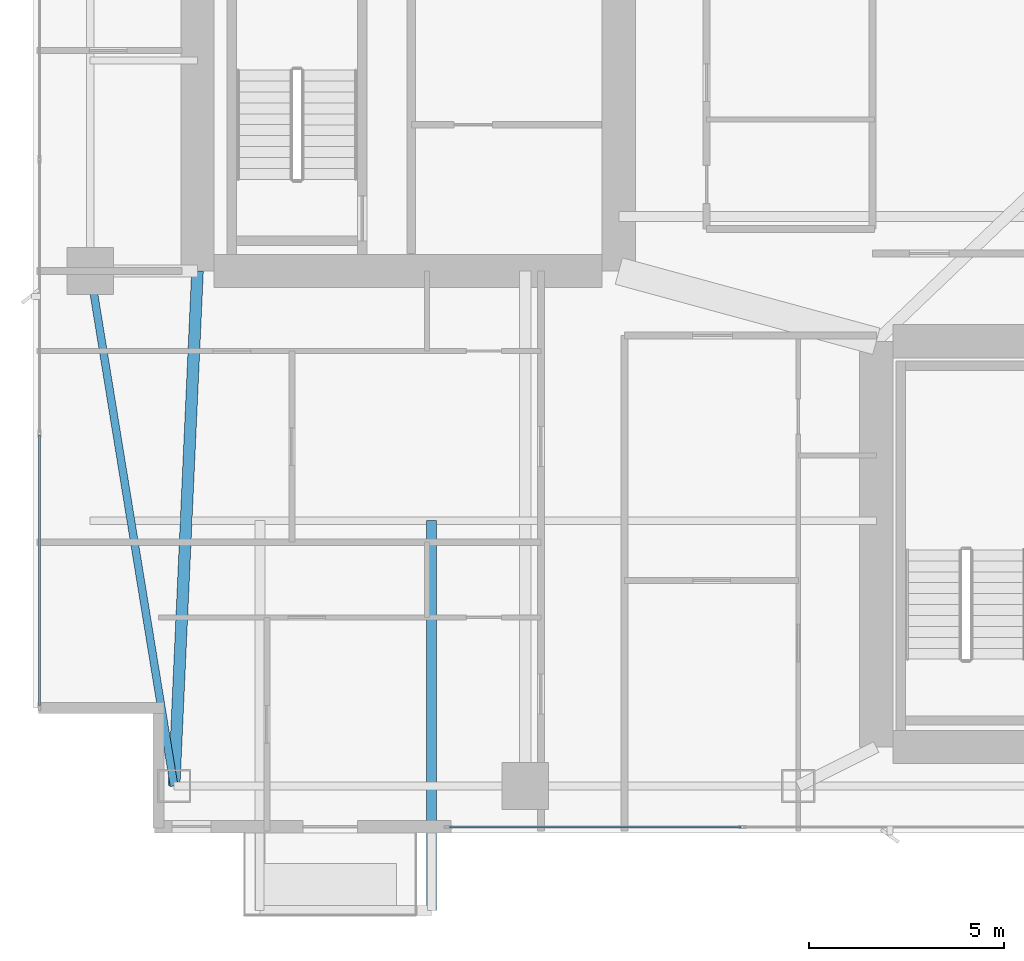
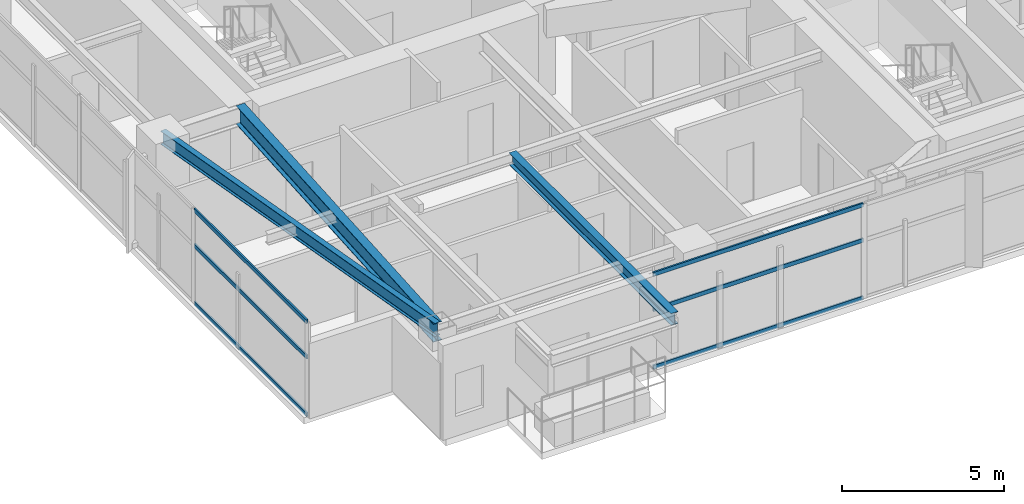
# One storey, part 3 of 29: 6 members, 3 beams, 2 elements without a shape of their own.
"""IFC4 building model written with IfcOpenShell, lengths in metres."""

from ifc_helpers import new_model, si_unit, direction, frame, origin, origin_2d, place, context, subcontext, project, spatial, hollow_rectangle, i_section, extrude, material, layer, layer_set, material_profile, profile_set, type_object, element, aggregate, save


model = new_model("IFC4")

# Units and contexts
model_context = context("Model", 3, precision=1e-05, world=origin(), true_north=direction((0.0, 1.0)))
body_context = subcontext(model_context, "Body", "Model", "MODEL_VIEW")
ifc_project = project(units=[si_unit("LENGTHUNIT", "METRE"), si_unit("AREAUNIT", "SQUARE_METRE"), si_unit("VOLUMEUNIT", "CUBIC_METRE"), si_unit("PLANEANGLEUNIT", "RADIAN"), si_unit("MASSUNIT", "GRAM", prefix="KILO")], contexts=[model_context])

# Site, building, storey
site_placement = place(None, origin())
site = spatial("IfcSite", under=ifc_project, at=site_placement, CompositionType="ELEMENT")
building_placement = place(site_placement, origin())
building = spatial("IfcBuilding", under=site, at=building_placement, Name="Calvorn Quay Hotel", CompositionType="ELEMENT")
storey_placement = place(building_placement, frame((0.0, 0.0, 124.0)))
storey = spatial("IfcBuildingStorey", under=building, at=storey_placement, Name="L30", CompositionType="ELEMENT", Elevation=124.0)

# Beams
ifc_material_1 = material(Name="Steel Q355B", Category="steel")
ifc_material_profile_1 = material_profile(ifc_material_1, i_section(OverallWidth=0.25, OverallDepth=0.449951171875, WebThickness=0.011962890625, FlangeThickness=0.01611328125, FilletRadius=0.01611328125, at=origin_2d()), Name="HN450x250x12x16")
ifc_profile_set_1 = profile_set([ifc_material_profile_1], Name="Steel Q355B")
beam_type_1 = type_object("IfcBeamType", Name="BM-CANT-BALC", PredefinedType="BEAM", material=ifc_profile_set_1)
beam_1_placement = place(storey_placement, frame((10.199951171875, 10.39990234375, 3.31494140625), z_axis=(0.0, -1.0, 0.0), x_axis=(1.0, 0.0, 0.0)))
element("IfcBeam", 1, at=beam_1_placement, inside=storey, type_object=beam_type_1, Name="Cantilever Balcony Beam BCB-L31-2B", PredefinedType="BEAM", context=body_context, shape_type="SweptSolid", body=[
    extrude(i_section(OverallWidth=0.25, OverallDepth=0.449951171875, WebThickness=0.011962890625, FlangeThickness=0.01611328125, FilletRadius=0.01611328125, at=origin_2d()), origin(), (0.0, 0.0, 1.0), 9.989990234375),
])
ifc_material_2 = material(Name="Steel Q390GJC", Category="steel")
ifc_material_profile_2 = material_profile(ifc_material_2, i_section(OverallWidth=0.300048828125, OverallDepth=0.699951171875, WebThickness=0.012939453125, FlangeThickness=0.02392578125, FilletRadius=0.02392578125, at=origin_2d()), Name="HN700x300x13x24")
ifc_profile_set_2 = profile_set([ifc_material_profile_2], Name="Steel Q390GJC")
beam_type_2 = type_object("IfcBeamType", Name="BM-GIRD-MAIN", PredefinedType="BEAM", material=ifc_profile_set_2)
beam_2_placement = place(storey_placement, frame((3.60009765625, 3.60009765625, 3.18994140625), z_axis=(0.045396765494, 0.998969035397, 0.0), x_axis=(-0.998969035397, 0.045396765494, 0.0)))
element("IfcBeam", 2, at=beam_2_placement, inside=storey, type_object=beam_type_2, Name="Beam BG-L30-W0", PredefinedType="BEAM", context=body_context, shape_type="SweptSolid", body=[
    extrude(i_section(OverallWidth=0.300048828125, OverallDepth=0.699951171875, WebThickness=0.012939453125, FlangeThickness=0.02392578125, FilletRadius=0.02392578125, at=origin_2d()), origin(), (0.0, 0.0, 1.0), 13.213623046875),
])
ifc_material_3 = material(Name="Steel Q355B", Category="steel")
ifc_material_profile_3 = material_profile(ifc_material_3, i_section(OverallWidth=0.199951171875, OverallDepth=0.5, WebThickness=0.010009765625, FlangeThickness=0.01611328125, FilletRadius=0.01611328125, at=origin_2d()), Name="HN500x200x10x16")
ifc_profile_set_3 = profile_set([ifc_material_profile_3], Name="Steel Q355B")
beam_type_3 = type_object("IfcBeamType", Name="BM-SPANDREL-Z1", PredefinedType="SPANDREL", material=ifc_profile_set_3)
beam_3_placement = place(storey_placement, frame((3.60009765625, 3.60009765625, 3.2900390625), z_axis=(-0.16077155054, 0.986991645627, 0.0), x_axis=(-0.986991645627, -0.16077155054, 0.0)))
element("IfcBeam", 3, at=beam_3_placement, inside=storey, type_object=beam_type_3, Name="Beam BSP-L30-W1", PredefinedType="SPANDREL", context=body_context, shape_type="SweptSolid", body=[
    extrude(i_section(OverallWidth=0.199951171875, OverallDepth=0.5, WebThickness=0.010009765625, FlangeThickness=0.01611328125, FilletRadius=0.01611328125, at=origin_2d()), origin(), (0.0, 0.0, 1.0), 13.3740234375),
])

# Curtain wall, members
ifc_material_4 = material(Name="Pale Anodised Aluminium and Low-E Glass", Category="aluminium")
ifc_layer = layer(ifc_material_4, 0.219970703125)
ifc_layer_set = layer_set([ifc_layer], Name="CW-SYS-Z2")
curtain_wall_type = type_object("IfcCurtainWallType", Name="CW-SYS-Z2", PredefinedType="NOTDEFINED", material=ifc_layer_set)
curtain_wall_1_placement = place(storey_placement, origin())
curtain_wall_1 = element("IfcCurtainWall", 4, at=curtain_wall_1_placement, inside=storey, type_object=curtain_wall_type, Name="Tower West Curtain Wall (L30)", PredefinedType="NOTDEFINED")
ifc_material_5 = material(Name="Pale Anodised Aluminium 6063-T6", Category="aluminium")
ifc_material_profile_4 = material_profile(ifc_material_5, hollow_rectangle(XDim=0.06005859375, YDim=0.14990234375, WallThickness=0.00341796875, at=origin_2d()), Name="ALU-T150x60x3.5")
ifc_profile_set_4 = profile_set([ifc_material_profile_4], Name="Pale Anodised Aluminium 6063-T6")
member_type = type_object("IfcMemberType", Name="CW-SYS-Z2-TRN", PredefinedType="USERDEFINED", material=ifc_profile_set_4)
member_1_placement = place(storey_placement, frame((0.14990234375, 5.659912109375, 0.030029296875), z_axis=(0.0, 1.0, 0.0), x_axis=(-1.0, 0.0, 0.0)))
member_1 = element("IfcMember", 5, at=member_1_placement, type_object=member_type, Name="CW-L30-W transom 1.1", ObjectType="TRANSOM", PredefinedType="USERDEFINED", context=body_context, shape_type="SweptSolid", body=[
    extrude(hollow_rectangle(XDim=0.06005859375, YDim=0.14990234375, WallThickness=0.00341796875, at=origin_2d()), origin(), (0.0, 0.0, 1.0), 6.943359375),
])
member_2_placement = place(storey_placement, frame((0.14990234375, 5.659912109375, 2.199951171875), z_axis=(0.0, 1.0, 0.0), x_axis=(-1.0, 0.0, 0.0)))
member_2 = element("IfcMember", 6, at=member_2_placement, type_object=member_type, Name="CW-L30-W transom 1.2", ObjectType="TRANSOM", PredefinedType="USERDEFINED", context=body_context, shape_type="SweptSolid", body=[
    extrude(hollow_rectangle(XDim=0.06005859375, YDim=0.14990234375, WallThickness=0.00341796875, at=origin_2d()), origin(), (0.0, 0.0, 1.0), 6.943359375),
])
member_3_placement = place(storey_placement, frame((0.14990234375, 5.659912109375, 3.530029296875), z_axis=(0.0, 1.0, 0.0), x_axis=(-1.0, 0.0, 0.0)))
member_3 = element("IfcMember", 7, at=member_3_placement, type_object=member_type, Name="CW-L30-W transom 1.3", ObjectType="TRANSOM", PredefinedType="USERDEFINED", context=body_context, shape_type="SweptSolid", body=[
    extrude(hollow_rectangle(XDim=0.06005859375, YDim=0.14990234375, WallThickness=0.00341796875, at=origin_2d()), origin(), (0.0, 0.0, 1.0), 6.943359375),
])
aggregate(curtain_wall_1, [member_1, member_2, member_3])

curtain_wall_2_placement = place(storey_placement, origin())
curtain_wall_2 = element("IfcCurtainWall", 8, at=curtain_wall_2_placement, inside=storey, type_object=curtain_wall_type, Name="Tower South Waterfront Curtain Wall (L30)", PredefinedType="NOTDEFINED")
member_4_placement = place(storey_placement, frame((10.659912109375, 2.550048828125, 0.030029296875), z_axis=(1.0, 0.0, 0.0), x_axis=(0.0, 1.0, 0.0)))
member_4 = element("IfcMember", 9, at=member_4_placement, type_object=member_type, Name="CW-L30-S transom 1.1", ObjectType="TRANSOM", PredefinedType="USERDEFINED", context=body_context, shape_type="SweptSolid", body=[
    extrude(hollow_rectangle(XDim=0.06005859375, YDim=0.14990234375, WallThickness=0.00341796875, at=origin_2d()), origin(), (0.0, 0.0, 1.0), 7.476806640625),
])
member_5_placement = place(storey_placement, frame((10.659912109375, 2.550048828125, 2.199951171875), z_axis=(1.0, 0.0, 0.0), x_axis=(0.0, 1.0, 0.0)))
member_5 = element("IfcMember", 10, at=member_5_placement, type_object=member_type, Name="CW-L30-S transom 1.2", ObjectType="TRANSOM", PredefinedType="USERDEFINED", context=body_context, shape_type="SweptSolid", body=[
    extrude(hollow_rectangle(XDim=0.06005859375, YDim=0.14990234375, WallThickness=0.00341796875, at=origin_2d()), origin(), (0.0, 0.0, 1.0), 7.476806640625),
])
member_6_placement = place(storey_placement, frame((10.659912109375, 2.550048828125, 3.530029296875), z_axis=(1.0, 0.0, 0.0), x_axis=(0.0, 1.0, 0.0)))
member_6 = element("IfcMember", 11, at=member_6_placement, type_object=member_type, Name="CW-L30-S transom 1.3", ObjectType="TRANSOM", PredefinedType="USERDEFINED", context=body_context, shape_type="SweptSolid", body=[
    extrude(hollow_rectangle(XDim=0.06005859375, YDim=0.14990234375, WallThickness=0.00341796875, at=origin_2d()), origin(), (0.0, 0.0, 1.0), 7.476806640625),
])
aggregate(curtain_wall_2, [member_4, member_5, member_6])

save(model, "model.ifc")
